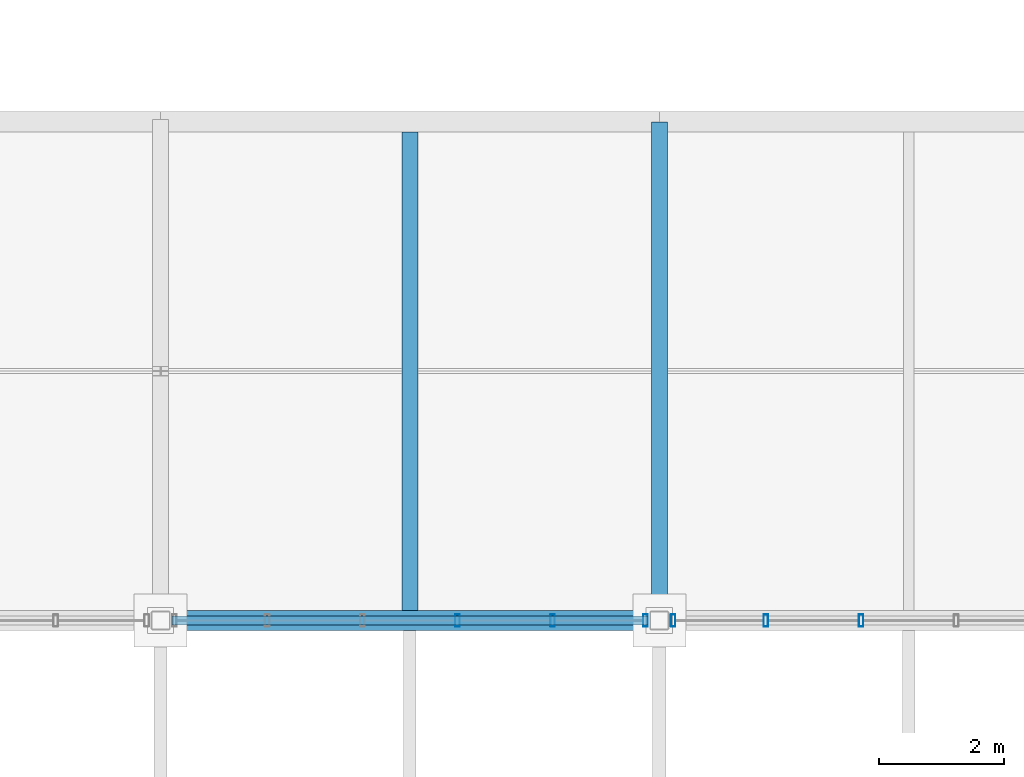
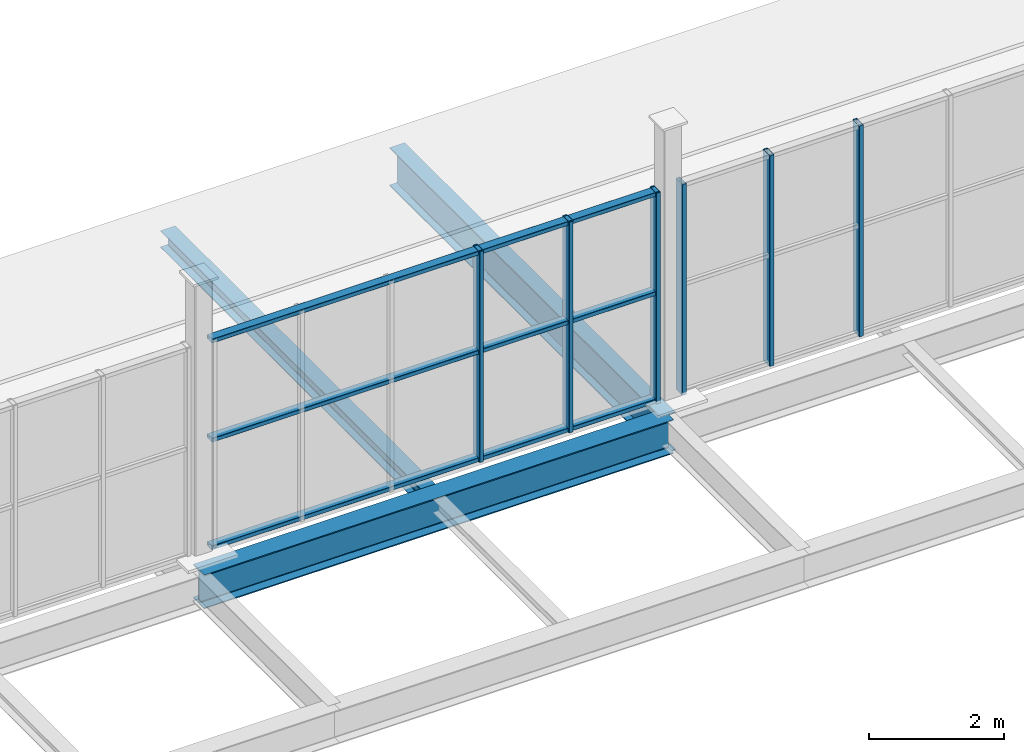
# One storey, part 35 of 96: 9 members, 3 beams, 2 elements without a shape of their own.
"""IFC4 building model written with IfcOpenShell, lengths in metres."""

from ifc_helpers import new_model, si_unit, direction, frame, origin, origin_2d, place, context, subcontext, project, spatial, hollow_rectangle, i_section, extrude, material, material_profile, profile_set, type_object, element, aggregate, save


model = new_model("IFC4")

# Units and contexts
model_context = context("Model", 3, precision=1e-05, world=origin(), true_north=direction((0.0, 1.0)))
body_context = subcontext(model_context, "Body", "Model", "MODEL_VIEW")
ifc_project = project(units=[si_unit("LENGTHUNIT", "METRE"), si_unit("AREAUNIT", "SQUARE_METRE"), si_unit("VOLUMEUNIT", "CUBIC_METRE"), si_unit("PLANEANGLEUNIT", "RADIAN"), si_unit("MASSUNIT", "GRAM", prefix="KILO")], contexts=[model_context])

# Site, building, storey
site_placement = place(None, origin())
site = spatial("IfcSite", under=ifc_project, at=site_placement, CompositionType="ELEMENT")
building_placement = place(site_placement, origin())
building = spatial("IfcBuilding", under=site, at=building_placement, Name="Verrall Gate Interchange", CompositionType="ELEMENT")
storey_placement = place(building_placement, frame((0.0, 0.0, 11.39990234375)))
storey = spatial("IfcBuildingStorey", under=building, at=storey_placement, Name="L03", CompositionType="ELEMENT", Elevation=11.39990234375)

# Beams
ifc_material_1 = material(Name="Structural Steel CSA G40.21 350WT Cat 4", Category="steel")
ifc_material_profile_1 = material_profile(ifc_material_1, i_section(OverallWidth=0.256103515625, OverallDepth=0.693115234375, WebThickness=0.01318359375, FlangeThickness=0.02001953125, FilletRadius=0.01611328125, at=origin_2d()), Name="W690x170")
ifc_profile_set_1 = profile_set([ifc_material_profile_1], Name="Structural Steel CSA G40.21 350WT Cat 4")
beam_type_1 = type_object("IfcBeamType", Name="B-07 Structural Beam W690x170", PredefinedType="BEAM", material=ifc_profile_set_1)
beam_1_placement = place(storey_placement, frame((52.0, 48.0, -0.676513671875), z_axis=(0.0, 1.0, 0.0), x_axis=(-1.0, 0.0, 0.0)))
element("IfcBeam", 1, at=beam_1_placement, inside=storey, type_object=beam_type_1, Name="L03 Girder BM-L03-2281 (B-07)", PredefinedType="BEAM", context=body_context, shape_type="SweptSolid", body=[
    extrude(i_section(OverallWidth=0.256103515625, OverallDepth=0.693115234375, WebThickness=0.01318359375, FlangeThickness=0.02001953125, FilletRadius=0.01611328125, at=origin_2d()), origin(), (0.0, 0.0, 1.0), 8.0),
])
ifc_material_2 = material(Name="Structural Steel CSA G40.21 350WT Cat 4", Category="steel")
ifc_material_profile_2 = material_profile(ifc_material_2, i_section(OverallWidth=0.323974609375, OverallDepth=0.611083984375, WebThickness=0.0126953125, FlangeThickness=0.01904296875, FilletRadius=0.014892578125, at=origin_2d()), Name="W610x155")
ifc_profile_set_2 = profile_set([ifc_material_profile_2], Name="Structural Steel CSA G40.21 350WT Cat 4")
beam_type_2 = type_object("IfcBeamType", Name="B-08 Structural Beam W610x155", PredefinedType="BEAM", material=ifc_profile_set_2)
beam_2_placement = place(storey_placement, frame((44.0, 48.0, -0.635498046875), z_axis=(1.0, 0.0, 0.0), x_axis=(0.0, 1.0, 0.0)))
element("IfcBeam", 2, at=beam_2_placement, inside=storey, type_object=beam_type_2, Name="L03 Girder BM-L03-2111 (B-08)", PredefinedType="BEAM", context=body_context, shape_type="SweptSolid", body=[
    extrude(i_section(OverallWidth=0.323974609375, OverallDepth=0.611083984375, WebThickness=0.0126953125, FlangeThickness=0.01904296875, FilletRadius=0.014892578125, at=origin_2d()), origin(), (0.0, 0.0, 1.0), 8.0),
])

# Curtain wall, members
ifc_material_3 = material(Name="Thermally Broken Anodized Aluminium Curtain Wall Framing", Category="aluminium")
curtain_wall_type = type_object("IfcCurtainWallType", Name="CW-53 Unitized Curtain Wall 7631x3800", PredefinedType="NOTDEFINED", material=ifc_material_3)
curtain_wall_1_placement = place(storey_placement, origin())
curtain_wall_1 = element("IfcCurtainWall", 3, at=curtain_wall_1_placement, inside=storey, type_object=curtain_wall_type, Name="L03 Unitized Curtain Wall CW-L03-CLR-174", PredefinedType="NOTDEFINED")
ifc_material_4 = material(Name="Thermally Broken Anodized Aluminium Curtain Wall Framing", Category="aluminium")
ifc_material_profile_3 = material_profile(ifc_material_4, hollow_rectangle(XDim=0.074951171875, YDim=0.199951171875, WallThickness=0.0048828125, InnerFilletRadius=0.0048828125, OuterFilletRadius=0.010009765625, at=origin_2d()), Name="CWM200x75x5")
ifc_profile_set_3 = profile_set([ifc_material_profile_3], Name="Thermally Broken Anodized Aluminium Curtain Wall Framing")
member_type_1 = type_object("IfcMemberType", Name="CM-02 Curtain Mullion CWM200x75x5", PredefinedType="MULLION", material=ifc_profile_set_3)
member_1_placement = place(storey_placement, frame((48.76318359375, 48.0, 0.0), z_axis=(0.0, 0.0, 1.0), x_axis=(1.0, 0.0, 0.0)))
member_1 = element("IfcMember", 4, at=member_1_placement, type_object=member_type_1, Name="CW-L03-CLR-174 Mullion 4", PredefinedType="MULLION", context=body_context, shape_type="SweptSolid", body=[
    extrude(hollow_rectangle(XDim=0.074951171875, YDim=0.199951171875, WallThickness=0.0048828125, InnerFilletRadius=0.0048828125, OuterFilletRadius=0.010009765625, at=origin_2d()), origin(), (0.0, 0.0, 1.0), 3.800048828125),
])
member_2_placement = place(storey_placement, frame((50.289306640625, 48.0, 0.0), z_axis=(0.0, 0.0, 1.0), x_axis=(1.0, 0.0, 0.0)))
member_2 = element("IfcMember", 5, at=member_2_placement, type_object=member_type_1, Name="CW-L03-CLR-174 Mullion 5", PredefinedType="MULLION", context=body_context, shape_type="SweptSolid", body=[
    extrude(hollow_rectangle(XDim=0.074951171875, YDim=0.199951171875, WallThickness=0.0048828125, InnerFilletRadius=0.0048828125, OuterFilletRadius=0.010009765625, at=origin_2d()), origin(), (0.0, 0.0, 1.0), 3.800048828125),
])
member_3_placement = place(storey_placement, frame((51.778076171875, 48.0, 0.0), z_axis=(0.0, 0.0, 1.0), x_axis=(1.0, 0.0, 0.0)))
member_3 = element("IfcMember", 6, at=member_3_placement, type_object=member_type_1, Name="CW-L03-CLR-174 Mullion 6", PredefinedType="MULLION", context=body_context, shape_type="SweptSolid", body=[
    extrude(hollow_rectangle(XDim=0.074951171875, YDim=0.199951171875, WallThickness=0.0048828125, InnerFilletRadius=0.0048828125, OuterFilletRadius=0.010009765625, at=origin_2d()), origin(), (0.0, 0.0, 1.0), 3.800048828125),
])

curtain_wall_2_placement = place(storey_placement, origin())
curtain_wall_2 = element("IfcCurtainWall", 7, at=curtain_wall_2_placement, inside=storey, type_object=curtain_wall_type, Name="L03 Unitized Curtain Wall CW-L03-CLR-175", PredefinedType="NOTDEFINED")
member_4_placement = place(storey_placement, frame((52.221923828125, 48.0, 0.0), z_axis=(0.0, 0.0, 1.0), x_axis=(1.0, 0.0, 0.0)))
member_4 = element("IfcMember", 8, at=member_4_placement, type_object=member_type_1, Name="CW-L03-CLR-175 Mullion 1", PredefinedType="MULLION", context=body_context, shape_type="SweptSolid", body=[
    extrude(hollow_rectangle(XDim=0.074951171875, YDim=0.199951171875, WallThickness=0.0048828125, InnerFilletRadius=0.0048828125, OuterFilletRadius=0.010009765625, at=origin_2d()), origin(), (0.0, 0.0, 1.0), 3.800048828125),
])
member_5_placement = place(storey_placement, frame((53.710693359375, 48.0, 0.0), z_axis=(0.0, 0.0, 1.0), x_axis=(1.0, 0.0, 0.0)))
member_5 = element("IfcMember", 9, at=member_5_placement, type_object=member_type_1, Name="CW-L03-CLR-175 Mullion 2", PredefinedType="MULLION", context=body_context, shape_type="SweptSolid", body=[
    extrude(hollow_rectangle(XDim=0.074951171875, YDim=0.199951171875, WallThickness=0.0048828125, InnerFilletRadius=0.0048828125, OuterFilletRadius=0.010009765625, at=origin_2d()), origin(), (0.0, 0.0, 1.0), 3.800048828125),
])
member_6_placement = place(storey_placement, frame((55.23681640625, 48.0, 0.0), z_axis=(0.0, 0.0, 1.0), x_axis=(1.0, 0.0, 0.0)))
member_6 = element("IfcMember", 10, at=member_6_placement, type_object=member_type_1, Name="CW-L03-CLR-175 Mullion 3", PredefinedType="MULLION", context=body_context, shape_type="SweptSolid", body=[
    extrude(hollow_rectangle(XDim=0.074951171875, YDim=0.199951171875, WallThickness=0.0048828125, InnerFilletRadius=0.0048828125, OuterFilletRadius=0.010009765625, at=origin_2d()), origin(), (0.0, 0.0, 1.0), 3.800048828125),
])
aggregate(curtain_wall_2, [member_4, member_5, member_6])

# Member
ifc_material_5 = material(Name="Thermally Broken Anodized Aluminium Curtain Wall Framing", Category="aluminium")
ifc_material_profile_4 = material_profile(ifc_material_5, hollow_rectangle(XDim=0.14990234375, YDim=0.074951171875, WallThickness=0.00439453125, InnerFilletRadius=0.00439453125, OuterFilletRadius=0.009033203125, at=origin_2d()), Name="CWT150x75x4.5")
ifc_profile_set_4 = profile_set([ifc_material_profile_4], Name="Thermally Broken Anodized Aluminium Curtain Wall Framing")
member_type_2 = type_object("IfcMemberType", Name="CT-02 Curtain Transom CWT150x75x4.5", PredefinedType="USERDEFINED", material=ifc_profile_set_4)
member_7_placement = place(storey_placement, frame((44.1845703125, 48.0, 0.03759765625), z_axis=(1.0, 0.0, 0.0), x_axis=(0.0, 1.0, 0.0)))
member_7 = element("IfcMember", 11, at=member_7_placement, type_object=member_type_2, Name="CW-L03-CLR-174 Transom 1", ObjectType="TRANSOM", PredefinedType="USERDEFINED", context=body_context, shape_type="SweptSolid", body=[
    extrude(hollow_rectangle(XDim=0.14990234375, YDim=0.074951171875, WallThickness=0.00439453125, InnerFilletRadius=0.00439453125, OuterFilletRadius=0.009033203125, at=origin_2d()), origin(), (0.0, 0.0, 1.0), 7.630859375),
])

member_8_placement = place(storey_placement, frame((44.1845703125, 48.0, 1.97607421875), z_axis=(1.0, 0.0, 0.0), x_axis=(0.0, 1.0, 0.0)))
member_8 = element("IfcMember", 12, at=member_8_placement, type_object=member_type_2, Name="CW-L03-CLR-174 Transom 2", ObjectType="TRANSOM", PredefinedType="USERDEFINED", context=body_context, shape_type="SweptSolid", body=[
    extrude(hollow_rectangle(XDim=0.14990234375, YDim=0.074951171875, WallThickness=0.00439453125, InnerFilletRadius=0.00439453125, OuterFilletRadius=0.009033203125, at=origin_2d()), origin(), (0.0, 0.0, 1.0), 7.630859375),
])

member_9_placement = place(storey_placement, frame((44.1845703125, 48.0, 3.7626953125), z_axis=(1.0, 0.0, 0.0), x_axis=(0.0, 1.0, 0.0)))
member_9 = element("IfcMember", 13, at=member_9_placement, type_object=member_type_2, Name="CW-L03-CLR-174 Transom 3", ObjectType="TRANSOM", PredefinedType="USERDEFINED", context=body_context, shape_type="SweptSolid", body=[
    extrude(hollow_rectangle(XDim=0.14990234375, YDim=0.074951171875, WallThickness=0.00439453125, InnerFilletRadius=0.00439453125, OuterFilletRadius=0.009033203125, at=origin_2d()), origin(), (0.0, 0.0, 1.0), 7.630859375),
])

aggregate(curtain_wall_1, [member_1, member_2, member_3, member_7, member_8, member_9])

# Beam
ifc_material_6 = material(Name="Structural Steel CSA G40.21 350W", Category="steel")
ifc_material_profile_5 = material_profile(ifc_material_6, i_section(OverallWidth=0.25390625, OverallDepth=0.305908203125, WebThickness=0.0087890625, FlangeThickness=0.0146484375, FilletRadius=0.012939453125, at=origin_2d()), Name="W310x79")
ifc_profile_set_5 = profile_set([ifc_material_profile_5], Name="Structural Steel CSA G40.21 350W")
beam_type_3 = type_object("IfcBeamType", Name="J-03 Floor Joist W310x79", PredefinedType="JOIST", material=ifc_profile_set_5)
beam_3_placement = place(storey_placement, frame((48.0, 48.162109375, -0.48291015625), z_axis=(0.0, 1.0, 0.0), x_axis=(-1.0, 0.0, 0.0)))
element("IfcBeam", 14, at=beam_3_placement, inside=storey, type_object=beam_type_3, Name="L03 Secondary Floor Joist JST-L03-2484", PredefinedType="JOIST", context=body_context, shape_type="SweptSolid", body=[
    extrude(i_section(OverallWidth=0.25390625, OverallDepth=0.305908203125, WebThickness=0.0087890625, FlangeThickness=0.0146484375, FilletRadius=0.012939453125, at=origin_2d()), origin(), (0.0, 0.0, 1.0), 7.67578125),
])

save(model, "model.ifc")
